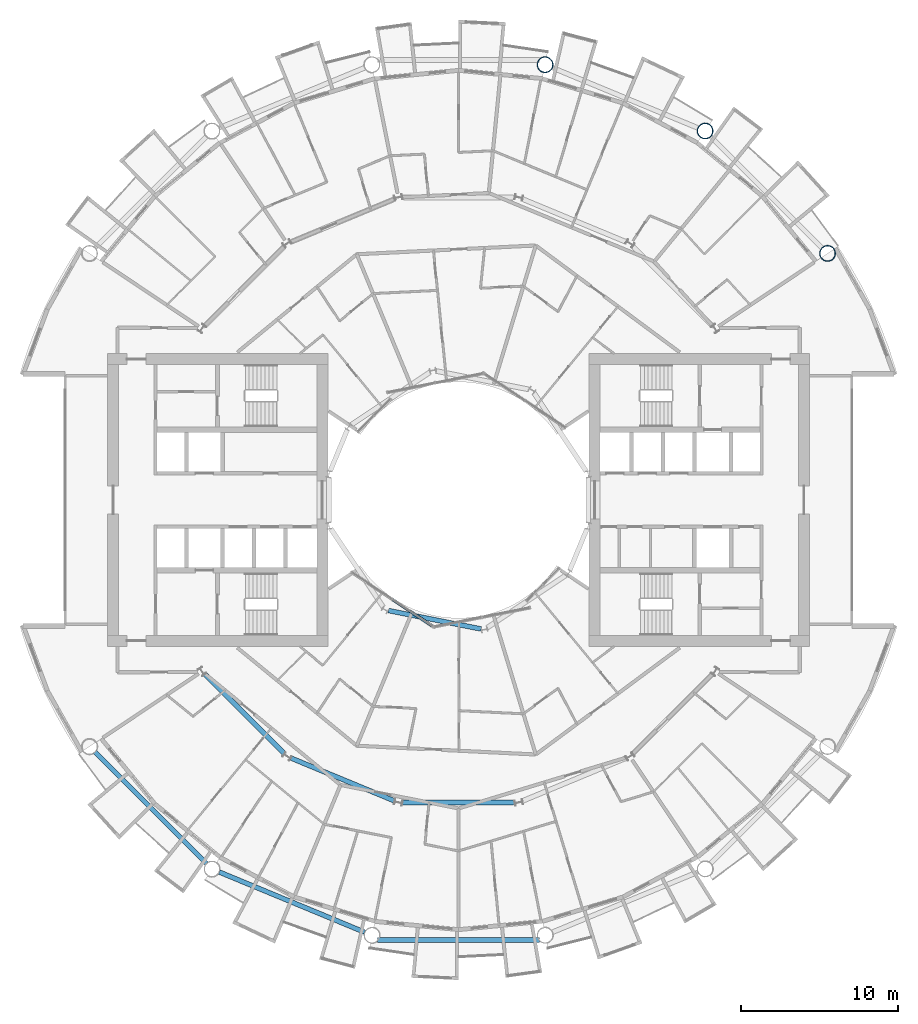
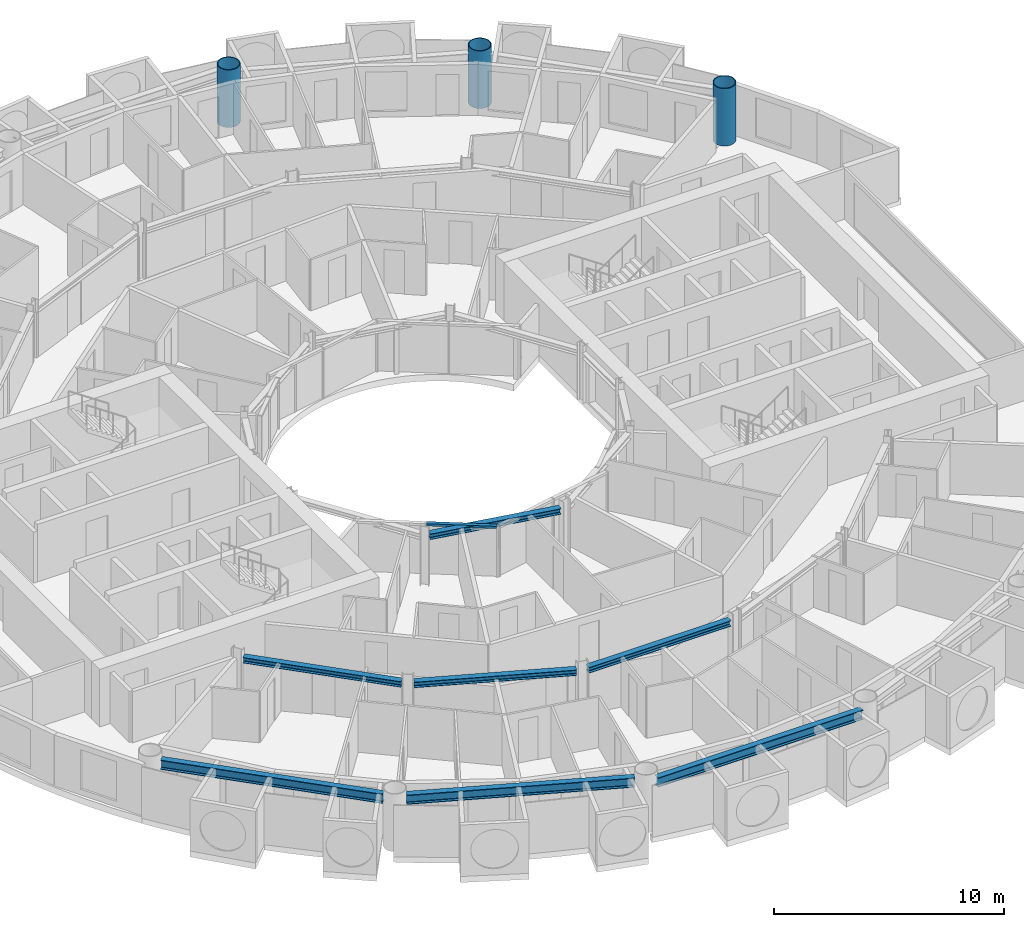
# One storey, part 4 of 26: 7 beams, 3 columns, 1 member, 1 element without a shape of its own.
"""IFC4 building model written with IfcOpenShell, lengths in metres."""

from ifc_helpers import new_model, si_unit, direction, frame, origin, origin_2d, place, context, subcontext, project, spatial, rectangle, hollow_circle, i_section, extrude, material, layer, layer_set, material_profile, profile_set, type_object, element, aggregate, save


model = new_model("IFC4")

# Units and contexts
model_context = context("Model", 3, precision=1e-05, world=origin(), true_north=direction((0.0, 1.0)))
body_context = subcontext(model_context, "Body", "Model", "MODEL_VIEW")
ifc_project = project(units=[si_unit("LENGTHUNIT", "METRE"), si_unit("AREAUNIT", "SQUARE_METRE"), si_unit("VOLUMEUNIT", "CUBIC_METRE"), si_unit("PLANEANGLEUNIT", "RADIAN"), si_unit("MASSUNIT", "GRAM", prefix="KILO")], contexts=[model_context])

# Site, building, storey
site_placement = place(None, origin())
site = spatial("IfcSite", under=ifc_project, at=site_placement, CompositionType="ELEMENT")
building_placement = place(site_placement, origin())
building = spatial("IfcBuilding", under=site, at=building_placement, Name="Maasbend Ring Residences", CompositionType="ELEMENT")
storey_placement = place(building_placement, frame((0.0, 0.0, 69.699951171875)))
storey = spatial("IfcBuildingStorey", under=building, at=storey_placement, Name="L19", CompositionType="ELEMENT", Elevation=69.699951171875)

# Columns
ifc_material_1 = material(Name="Composite concrete-filled steel tube S460NH / C80/95", Category="concrete")
ifc_material_profile_1 = material_profile(ifc_material_1, hollow_circle(Radius=0.508056640625, WallThickness=0.0400390625, at=origin_2d()), Name="Composite tube column CHS 1016x40")
ifc_profile_set_1 = profile_set([ifc_material_profile_1], Name="Composite concrete-filled steel tube S460NH / C80/95")
column_type = type_object("IfcColumnType", Name="Composite tube column CHS 1016x40", PredefinedType="COLUMN", material=ifc_profile_set_1)
for number, where, z_axis, x_axis, name in (
    (1, (23.447509765625, 15.6669921875, 0.0), (0.0, 0.0, 1.0), (1.0, 0.0, 0.0), "Outer column R2"),
    (2, (15.6669921875, 23.447509765625, 0.0), (0.0, 0.0, 1.0), (1.0, 0.0, 0.0), "Outer column R3"),
    (3, (5.50146484375, 27.658203125, 0.0), (0.0, 0.0, 1.0), (1.0, 0.0, 0.0), "Outer column R4"),
):
    element("IfcColumn", number, at=place(storey_placement, frame(where, z_axis=z_axis, x_axis=x_axis)), inside=storey, type_object=column_type, Name=name, PredefinedType="COLUMN", context=body_context, shape_type="SweptSolid", body=[
        extrude(hollow_circle(Radius=0.508056640625, WallThickness=0.0400390625, at=origin_2d()), origin(), (0.0, 0.0, 1.0), 3.050048828125),
    ])

# Curtain wall, member
ifc_material_2 = material(Name="Aluminium and clear glass", Category="aluminium")
ifc_layer = layer(ifc_material_2, 0.179931640625)
ifc_layer_set = layer_set([ifc_layer], Name="CW-W")
curtain_wall_type = type_object("IfcCurtainWallType", Name="CW-W", PredefinedType="NOTDEFINED", material=ifc_layer_set)
curtain_wall_placement = place(storey_placement, origin())
curtain_wall = element("IfcCurtainWall", 4, at=curtain_wall_placement, inside=storey, type_object=curtain_wall_type, Name="Well curtain wall S1", PredefinedType="NOTDEFINED")
ifc_material_3 = material(Name="Aluminium 6063-T6", Category="aluminium")
ifc_material_profile_2 = material_profile(ifc_material_3, rectangle(XDim=0.179931640625, YDim=0.1201171875, at=origin_2d()), Name="AL 180x120")
ifc_profile_set_2 = profile_set([ifc_material_profile_2], Name="Aluminium 6063-T6")
member_type = type_object("IfcMemberType", Name="CWT-W", PredefinedType="USERDEFINED", material=ifc_profile_set_2)
member_placement = place(storey_placement, frame((-4.19189453125, -6.32763671875, 2.64013671875), z_axis=(0.831496422459, -0.555530106689, 0.0), x_axis=(0.555530106689, 0.831496422459, 0.0)))
member = element("IfcMember", 5, at=member_placement, type_object=member_type, Name="Transom well face", ObjectType="TRANSOM", PredefinedType="USERDEFINED", context=body_context, shape_type="SweptSolid", body=[
    extrude(rectangle(XDim=0.179931640625, YDim=0.1201171875, at=origin_2d()), origin(), (0.0, 0.0, 1.0), 3.053955078125),
])
aggregate(curtain_wall, [member])

# Beams
ifc_material_4 = material(Name="Steel S355J2", Category="steel")
ifc_material_profile_3 = material_profile(ifc_material_4, i_section(OverallWidth=0.300048828125, OverallDepth=0.300048828125, WebThickness=0.010986328125, FlangeThickness=0.01904296875, FilletRadius=0.027099609375, at=origin_2d()), Name="HEB 300")
ifc_profile_set_3 = profile_set([ifc_material_profile_3], Name="Steel S355J2")
beam_type_1 = type_object("IfcBeamType", Name="Corridor ring beam HEB 300", PredefinedType="BEAM", material=ifc_profile_set_3)
for number, where, z_axis, x_axis, name in (
    (6, (-16.10791015625, -11.078125, 2.550048828125), (0.707106781187, -0.707106781187, 0.0), (0.707106781187, 0.707106781187, 0.0), "Corridor ring beam"),
    (7, (-10.642333984375, -16.39892578125, 2.550048828125), (0.923877113721, -0.382689271788, 0.0), (0.382689271788, 0.923877113721, 0.0), "Corridor ring beam"),
    (8, (-3.556640625, -19.223388671875, 2.550048828125), (1.0, 0.0, 0.0), (0.0, 1.0, 0.0), "Corridor ring beam"),
):
    element("IfcBeam", number, at=place(storey_placement, frame(where, z_axis=z_axis, x_axis=x_axis)), inside=storey, type_object=beam_type_1, Name=name, PredefinedType="BEAM", context=body_context, shape_type="SweptSolid", body=[
        extrude(i_section(OverallWidth=0.300048828125, OverallDepth=0.300048828125, WebThickness=0.010986328125, FlangeThickness=0.01904296875, FilletRadius=0.027099609375, at=origin_2d()), origin(), (0.0, 0.0, 1.0), 7.11328125),
    ])
ifc_material_5 = material(Name="Steel S355J2", Category="steel")
ifc_material_profile_4 = material_profile(ifc_material_5, i_section(OverallWidth=0.300048828125, OverallDepth=0.5, WebThickness=0.014404296875, FlangeThickness=0.028076171875, FilletRadius=0.027099609375, at=origin_2d()), Name="HEB 500")
ifc_profile_set_4 = profile_set([ifc_material_profile_4], Name="Steel S355J2")
beam_type_2 = type_object("IfcBeamType", Name="Spandrel ring beam HEB 500", PredefinedType="SPANDREL", material=ifc_profile_set_4)
beam_1_placement = place(storey_placement, frame((-23.088134765625, -16.0263671875, 2.449951171875), z_axis=(0.707106781187, -0.707106781187, 0.0), x_axis=(0.707106781187, 0.707106781187, 0.0)))
element("IfcBeam", 9, at=beam_1_placement, inside=storey, type_object=beam_type_2, Name="Spandrel ring beam", PredefinedType="SPANDREL", context=body_context, shape_type="SweptSolid", body=[
    extrude(i_section(OverallWidth=0.300048828125, OverallDepth=0.5, WebThickness=0.014404296875, FlangeThickness=0.028076171875, FilletRadius=0.027099609375, at=origin_2d()), origin(), (0.0, 0.0, 1.0), 9.98681640625),
])
beam_2_placement = place(storey_placement, frame((-15.19775390625, -23.641845703125, 2.449951171875), z_axis=(0.923886337442, -0.382667003395, 0.0), x_axis=(0.382667003395, 0.923886337442, 0.0)))
element("IfcBeam", 10, at=beam_2_placement, inside=storey, type_object=beam_type_2, Name="Spandrel ring beam", PredefinedType="SPANDREL", context=body_context, shape_type="SweptSolid", body=[
    extrude(i_section(OverallWidth=0.300048828125, OverallDepth=0.5, WebThickness=0.014404296875, FlangeThickness=0.028076171875, FilletRadius=0.027099609375, at=origin_2d()), origin(), (0.0, 0.0, 1.0), 9.9873046875),
])
beam_3_placement = place(storey_placement, frame((-5.1435546875, -27.9580078125, 2.449951171875), z_axis=(1.0, 0.0, 0.0), x_axis=(0.0, 1.0, 0.0)))
element("IfcBeam", 11, at=beam_3_placement, inside=storey, type_object=beam_type_2, Name="Spandrel ring beam", PredefinedType="SPANDREL", context=body_context, shape_type="SweptSolid", body=[
    extrude(i_section(OverallWidth=0.300048828125, OverallDepth=0.5, WebThickness=0.014404296875, FlangeThickness=0.028076171875, FilletRadius=0.027099609375, at=origin_2d()), origin(), (0.0, 0.0, 1.0), 10.287109375),
])
ifc_material_6 = material(Name="Steel S355J2", Category="steel")
ifc_material_profile_5 = material_profile(ifc_material_6, i_section(OverallWidth=0.300048828125, OverallDepth=0.300048828125, WebThickness=0.010986328125, FlangeThickness=0.01904296875, FilletRadius=0.027099609375, at=origin_2d()), Name="HEB 300")
ifc_profile_set_5 = profile_set([ifc_material_profile_5], Name="Steel S355J2")
beam_type_3 = type_object("IfcBeamType", Name="Well edge beam HEB 300", PredefinedType="BEAM", material=ifc_profile_set_5)
beam_4_placement = place(storey_placement, frame((-4.45458984375, -7.026611328125, 2.550048828125), z_axis=(0.980789954577, -0.195066821885, 0.0), x_axis=(0.195066821885, 0.980789954577, 0.0)))
element("IfcBeam", 12, at=beam_4_placement, inside=storey, type_object=beam_type_3, Name="Well edge beam", PredefinedType="BEAM", context=body_context, shape_type="SweptSolid", body=[
    extrude(i_section(OverallWidth=0.300048828125, OverallDepth=0.300048828125, WebThickness=0.010986328125, FlangeThickness=0.01904296875, FilletRadius=0.027099609375, at=origin_2d()), origin(), (0.0, 0.0, 1.0), 5.996337890625),
])

save(model, "model.ifc")
